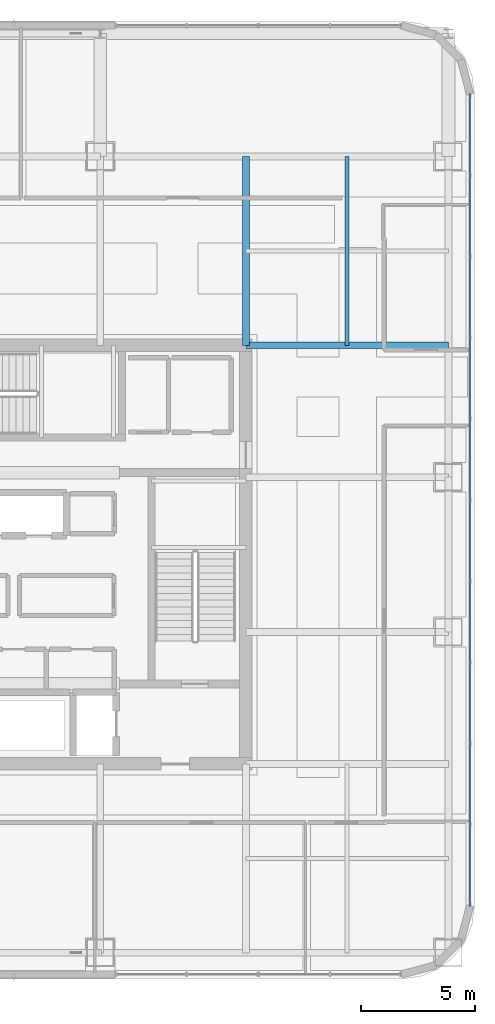
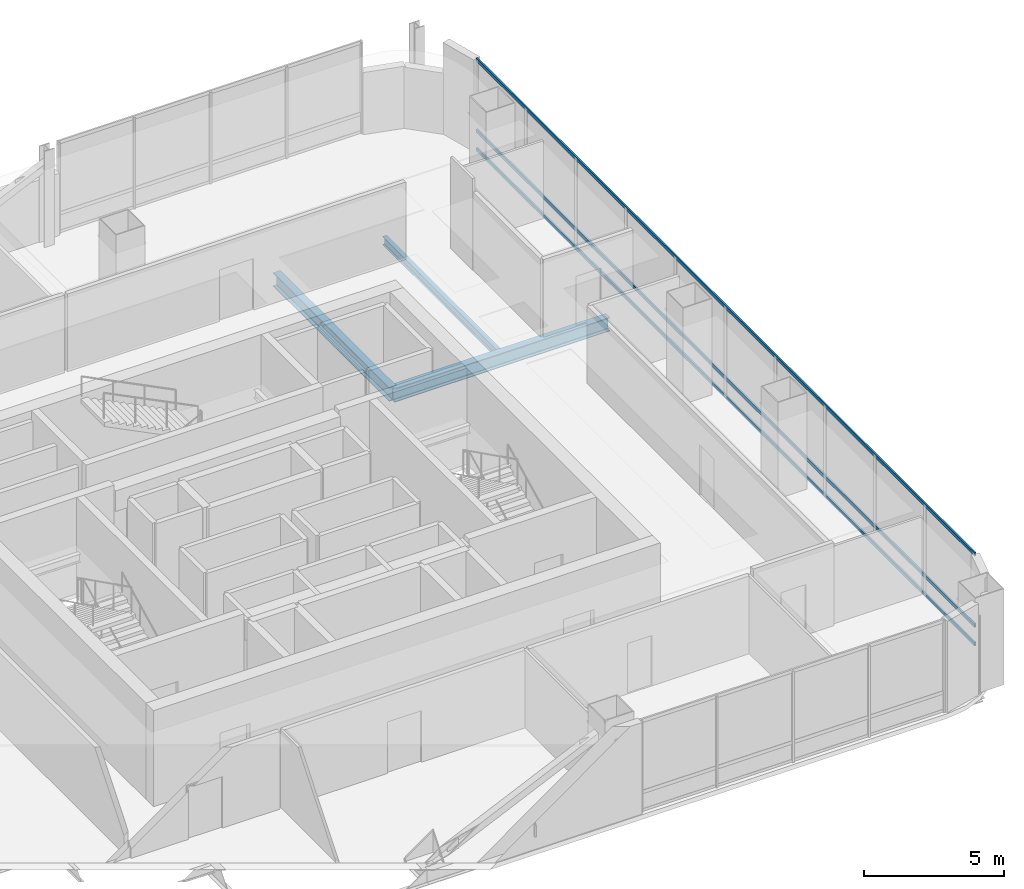
# One storey, part 18 of 43: 3 beams, 3 members, 1 element without a shape of its own.
"""IFC4 building model written with IfcOpenShell, lengths in metres."""

from ifc_helpers import new_model, si_unit, direction, frame, origin, origin_2d, place, context, subcontext, project, spatial, hollow_rectangle, i_section, extrude, material, material_profile, profile_set, type_object, element, aggregate, save


model = new_model("IFC4")

# Units and contexts
model_context = context("Model", 3, precision=1e-05, world=origin(), true_north=direction((0.0, 1.0)))
body_context = subcontext(model_context, "Body", "Model", "MODEL_VIEW")
ifc_project = project(units=[si_unit("LENGTHUNIT", "METRE"), si_unit("AREAUNIT", "SQUARE_METRE"), si_unit("VOLUMEUNIT", "CUBIC_METRE"), si_unit("PLANEANGLEUNIT", "RADIAN"), si_unit("MASSUNIT", "GRAM", prefix="KILO")], contexts=[model_context])

# Site, building, storey
site_placement = place(None, origin())
site = spatial("IfcSite", under=ifc_project, at=site_placement, CompositionType="ELEMENT")
building_placement = place(site_placement, origin())
building = spatial("IfcBuilding", under=site, at=building_placement, Name="Punatoya Terracotta Tower", CompositionType="ELEMENT")
storey_placement = place(building_placement, frame((0.0, 0.0, 300.60009765625)))
storey = spatial("IfcBuildingStorey", under=building, at=storey_placement, Name="L71", CompositionType="ELEMENT", Elevation=300.60009765625)

# Beams
ifc_material_1 = material(Name="Steel S355", Category="steel")
ifc_material_profile_1 = material_profile(ifc_material_1, i_section(OverallWidth=0.300048828125, OverallDepth=0.60009765625, WebThickness=0.015380859375, FlangeThickness=0.030029296875, FilletRadius=0.01806640625, at=origin_2d()))
ifc_profile_set_1 = profile_set([ifc_material_profile_1], Name="Steel S355")
beam_type_1 = type_object("IfcBeamType", Name="BM-PRI-600", PredefinedType="BEAM", material=ifc_profile_set_1)
beam_1_placement = place(storey_placement, frame((10.199951171875, 9.199951171875, -0.5), z_axis=(1.0, 0.0, 0.0), x_axis=(0.0, 1.0, 0.0)))
element("IfcBeam", 1, at=beam_1_placement, inside=storey, type_object=beam_type_1, Name="BM-L71-PR-EN", PredefinedType="BEAM", context=body_context, shape_type="SweptSolid", body=[
    extrude(i_section(OverallWidth=0.300048828125, OverallDepth=0.60009765625, WebThickness=0.015380859375, FlangeThickness=0.030029296875, FilletRadius=0.01806640625, at=origin_2d()), origin(), (0.0, 0.0, 1.0), 8.900146484375),
])
beam_2_placement = place(storey_placement, frame((10.199951171875, 9.199951171875, -0.5), z_axis=(0.0, 1.0, 0.0), x_axis=(-1.0, 0.0, 0.0)))
element("IfcBeam", 2, at=beam_2_placement, inside=storey, type_object=beam_type_1, Name="BM-L71-PR-N4", PredefinedType="BEAM", context=body_context, shape_type="SweptSolid", body=[
    extrude(i_section(OverallWidth=0.300048828125, OverallDepth=0.60009765625, WebThickness=0.015380859375, FlangeThickness=0.030029296875, FilletRadius=0.01806640625, at=origin_2d()), origin(), (0.0, 0.0, 1.0), 8.300048828125),
])
ifc_material_profile_2 = material_profile(ifc_material_1, i_section(OverallWidth=0.169921875, OverallDepth=0.360107421875, WebThickness=0.008056640625, FlangeThickness=0.0126953125, FilletRadius=0.01806640625, at=origin_2d()))
ifc_profile_set_2 = profile_set([ifc_material_profile_2], Name="Steel S355")
beam_type_2 = type_object("IfcBeamType", Name="BM-SEC-360", PredefinedType="JOIST", material=ifc_profile_set_2)
beam_3_placement = place(storey_placement, frame((14.64990234375, 9.199951171875, -0.380126953125), z_axis=(0.0, 1.0, 0.0), x_axis=(-1.0, 0.0, 0.0)))
element("IfcBeam", 3, at=beam_3_placement, inside=storey, type_object=beam_type_2, Name="BM-L71-SJE-2", PredefinedType="JOIST", context=body_context, shape_type="SweptSolid", body=[
    extrude(i_section(OverallWidth=0.169921875, OverallDepth=0.360107421875, WebThickness=0.008056640625, FlangeThickness=0.0126953125, FilletRadius=0.01806640625, at=origin_2d()), origin(), (0.0, 0.0, 1.0), 8.300048828125),
])

# Curtain wall, members
ifc_material_2 = material(Name="Aluminium 6063-T6 + Double Low-E Glass", Category="aluminium")
curtain_wall_type = type_object("IfcCurtainWallType", Name="CW-M3", PredefinedType="NOTDEFINED", material=ifc_material_2)
curtain_wall_placement = place(storey_placement, origin())
curtain_wall = element("IfcCurtainWall", 4, at=curtain_wall_placement, inside=storey, type_object=curtain_wall_type, Name="L71 Curtain Wall CW-L71-E05-1", PredefinedType="NOTDEFINED")
ifc_material_3 = material(Name="Aluminium 6063-T6", Category="aluminium")
ifc_material_profile_3 = material_profile(ifc_material_3, hollow_rectangle(XDim=0.068115234375, YDim=0.14990234375, WallThickness=0.00390625, at=origin_2d()))
ifc_profile_set_3 = profile_set([ifc_material_profile_3], Name="Aluminium 6063-T6")
member_type = type_object("IfcMemberType", Name="CW-TRN-TYP", PredefinedType="USERDEFINED", material=ifc_profile_set_3)
member_1_placement = place(storey_placement, frame((20.050048828125, -15.43701171875, 0.039794921875), z_axis=(0.0, 1.0, 0.0), x_axis=(-1.0, 0.0, 0.0)))
member_1 = element("IfcMember", 5, at=member_1_placement, type_object=member_type, Name="CW-L71-E05-1 Transom 1", ObjectType="TRANSOM", PredefinedType="USERDEFINED", context=body_context, shape_type="SweptSolid", body=[
    extrude(hollow_rectangle(XDim=0.068115234375, YDim=0.14990234375, WallThickness=0.00390625, at=origin_2d()), origin(), (0.0, 0.0, 1.0), 35.673828125),
])
member_2_placement = place(storey_placement, frame((20.050048828125, -15.43701171875, 0.849853515625), z_axis=(0.0, 1.0, 0.0), x_axis=(-1.0, 0.0, 0.0)))
member_2 = element("IfcMember", 6, at=member_2_placement, type_object=member_type, Name="CW-L71-E05-1 Transom 2", ObjectType="TRANSOM", PredefinedType="USERDEFINED", context=body_context, shape_type="SweptSolid", body=[
    extrude(hollow_rectangle(XDim=0.068115234375, YDim=0.14990234375, WallThickness=0.00390625, at=origin_2d()), origin(), (0.0, 0.0, 1.0), 35.673828125),
])
member_3_placement = place(storey_placement, frame((20.050048828125, -15.43701171875, 3.9599609375), z_axis=(0.0, 1.0, 0.0), x_axis=(-1.0, 0.0, 0.0)))
member_3 = element("IfcMember", 7, at=member_3_placement, type_object=member_type, Name="CW-L71-E05-1 Transom 3", ObjectType="TRANSOM", PredefinedType="USERDEFINED", context=body_context, shape_type="SweptSolid", body=[
    extrude(hollow_rectangle(XDim=0.068115234375, YDim=0.14990234375, WallThickness=0.00390625, at=origin_2d()), origin(), (0.0, 0.0, 1.0), 35.673828125),
])
aggregate(curtain_wall, [member_1, member_2, member_3])

save(model, "model.ifc")
